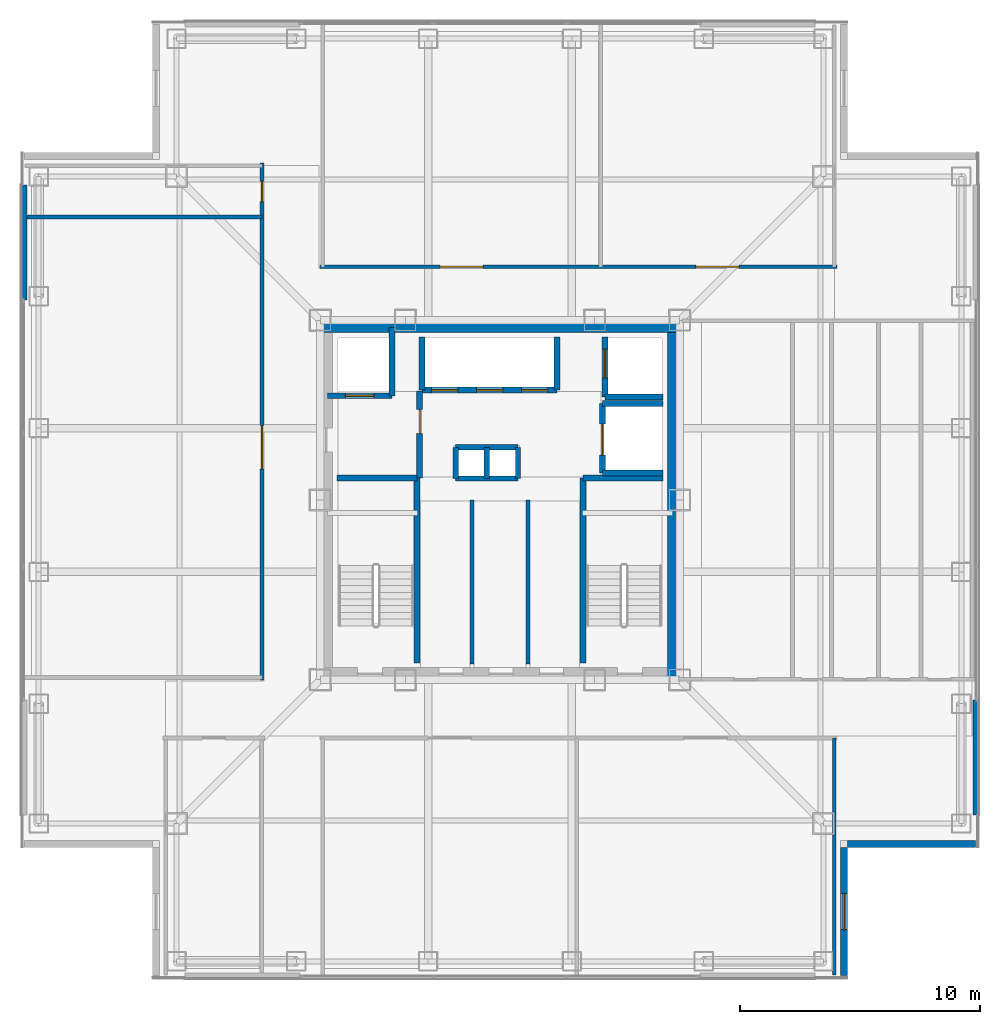
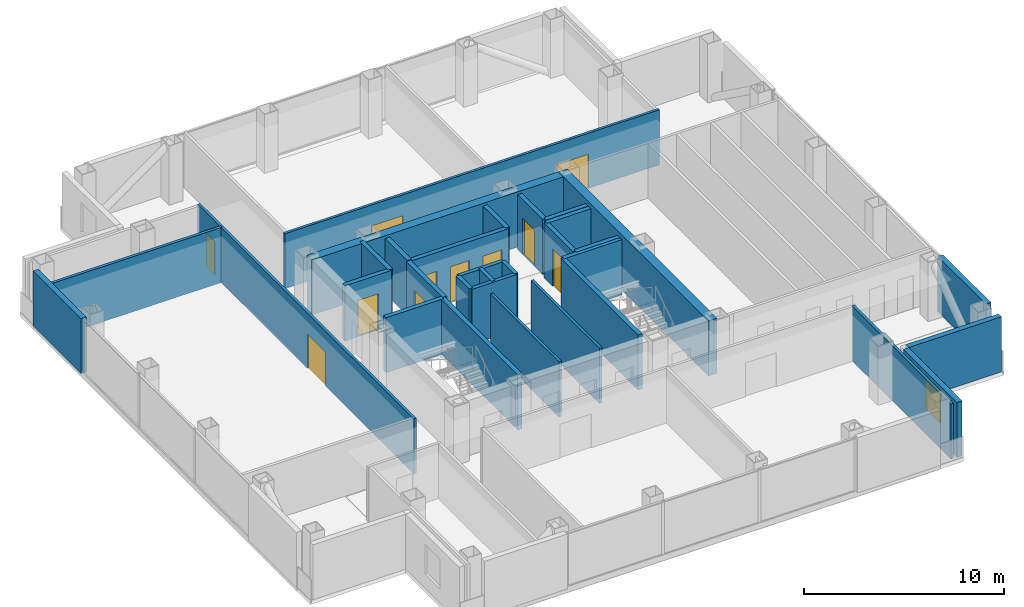
# One storey, part 10 of 17: 32 walls, 11 doors, 1 window, 12 openings.
"""IFC4 building model written with IfcOpenShell, lengths in metres."""

from ifc_helpers import new_model, si_unit, direction, frame, frame_2d, origin, place, context, subcontext, project, spatial, rectangle, extrude, material, layer, layer_set, type_object, element, fill, save


model = new_model("IFC4")

# Units and contexts
model_context = context("Model", 3, precision=1e-05, world=origin(), true_north=direction((0.0, 1.0)))
body_context = subcontext(model_context, "Body", "Model", "MODEL_VIEW")
ifc_project = project(units=[si_unit("LENGTHUNIT", "METRE"), si_unit("AREAUNIT", "SQUARE_METRE"), si_unit("VOLUMEUNIT", "CUBIC_METRE"), si_unit("PLANEANGLEUNIT", "RADIAN"), si_unit("MASSUNIT", "GRAM", prefix="KILO")], contexts=[model_context])

# Site, building, storey
site_placement = place(None, origin())
site = spatial("IfcSite", under=ifc_project, at=site_placement, CompositionType="ELEMENT")
building_placement = place(site_placement, origin())
building = spatial("IfcBuilding", under=site, at=building_placement, Name="Trevonay Congress Spire", CompositionType="ELEMENT")
storey_placement = place(building_placement, frame((0.0, 0.0, 191.39990234375)))
storey = spatial("IfcBuildingStorey", under=building, at=storey_placement, Name="L49", CompositionType="ELEMENT", Elevation=191.39990234375)

# Walls
ifc_material_1 = material(Name="Concrete C50/60", Category="concrete")
ifc_layer_1 = layer(ifc_material_1, 0.5, Name="Concrete C50/60")
ifc_layer_set_1 = layer_set([ifc_layer_1], Name="Concrete C50/60")
wall_type_1 = type_object("IfcWallType", Name="WAL-CORE-500", PredefinedType="SHEAR", material=ifc_layer_set_1)
for number, where, z_axis, x_axis, name in (
    (1, (-7.5, 7.25, 0.0), (0.0, 0.0, 1.0), (1.0, 0.0, 0.0), "L49 North structural core shear wall"),
    (2, (7.25, -7.5, 0.0), (0.0, 0.0, 1.0), (0.0, 1.0, 0.0), "L49 East structural core shear wall"),
):
    element("IfcWall", number, at=place(storey_placement, frame(where, z_axis=z_axis, x_axis=x_axis)), inside=storey, type_object=wall_type_1, Name=name, PredefinedType="SHEAR", context=body_context, shape_type="SweptSolid", body=[
        extrude(rectangle(XDim=15.0, YDim=0.5, at=frame_2d((7.5, 0.0))), origin(), (0.0, 0.0, 1.0), 3.360107421875),
    ])

# Wall, openings, doors
ifc_material_2 = material(Name="Concrete C40/50", Category="concrete")
ifc_layer_2 = layer(ifc_material_2, 0.14990234375, Name="Concrete C40/50")
ifc_layer_set_2 = layer_set([ifc_layer_2], Name="Concrete C40/50")
wall_type_2 = type_object("IfcWallType", Name="WAL-CORR-150", PredefinedType="PARTITIONING", material=ifc_layer_set_2)
wall_1_placement = place(storey_placement, frame((-9.929931640625, -7.52001953125, 0.0), z_axis=(0.0, 0.0, 1.0), x_axis=(0.0, 1.0, 0.0)))
wall_1 = element("IfcWall", 3, at=wall_1_placement, inside=storey, type_object=wall_type_2, Name="L49 interior wall WP-L49NW-COR", PredefinedType="PARTITIONING", context=body_context, shape_type="SweptSolid", body=[
    extrude(rectangle(XDim=21.590087890625, YDim=0.14990234375, at=frame_2d((10.794921875, 0.0))), origin(), (0.0, 0.0, 1.0), 3.360107421875),
])
opening_1_placement = place(wall_1_placement, frame((8.820068359375, 0.0, 0.0)))
opening_1 = element("IfcOpeningElement", 4, at=opening_1_placement, cuts=wall_1, Name="Opening D09", PredefinedType="OPENING", context=body_context, shape_type="SweptSolid", body=[
    extrude(rectangle(XDim=1.800048828125, YDim=2.080078125, at=frame_2d((0.89990234375, 1.0400390625))), frame((0.0, 0.0849609375, 0.0), z_axis=(0.0, -1.0, 0.0), x_axis=(1.0, 0.0, 0.0)), (0.0, 0.0, 1.0), 0.169921875),
])
opening_2_placement = place(wall_1_placement, frame((19.969970703125, 0.0, 0.0)))
opening_2 = element("IfcOpeningElement", 5, at=opening_2_placement, cuts=wall_1, Name="Opening D10", PredefinedType="OPENING", context=body_context, shape_type="SweptSolid", body=[
    extrude(rectangle(XDim=0.85009765625, YDim=2.050048828125, at=frame_2d((0.425048828125, 1.02490234375))), frame((0.0, 0.0849609375, 0.0), z_axis=(0.0, -1.0, 0.0), x_axis=(1.0, 0.0, 0.0)), (0.0, 0.0, 1.0), 0.169921875),
])
ifc_material_3 = material(Name="Pale Anodised Aluminium EN AW-6063-T6", Category="aluminium")
door_type_1 = type_object("IfcDoorType", Name="DOR-CONF-DBL", OperationType="DOUBLE_DOOR_SINGLE_SWING", PredefinedType="DOOR", material=ifc_material_3)
door_1_placement = place(opening_1_placement, origin())
door_1 = element("IfcDoor", 6, at=door_1_placement, inside=storey, type_object=door_type_1, Name="L49 Harbour View Grand Banquet Dining Room Door", OperationType="DOUBLE_DOOR_SINGLE_SWING", OverallHeight=2.080078125, OverallWidth=1.800048828125, PredefinedType="DOOR", context=body_context, shape_type="SweptSolid", body=[
    extrude(rectangle(XDim=1.800048828125, YDim=2.080078125, at=frame_2d((0.89990234375, 1.0400390625))), frame((0.0, 0.02490234375, 0.0), z_axis=(0.0, -1.0, 0.0), x_axis=(1.0, 0.0, 0.0)), (0.0, 0.0, 1.0), 0.050048828125),
])
fill(opening_1, door_1)
door_type_2 = type_object("IfcDoorType", Name="DOR-WC-85", OperationType="NOTDEFINED", PredefinedType="DOOR", material=ifc_material_3)
door_2_placement = place(opening_2_placement, origin())
door_2 = element("IfcDoor", 7, at=door_2_placement, inside=storey, type_object=door_type_2, Name="L49 Accessible WC Door", OperationType="SINGLE_SWING_RIGHT", OverallHeight=2.050048828125, OverallWidth=0.85009765625, PredefinedType="DOOR", context=body_context, shape_type="SweptSolid", body=[
    extrude(rectangle(XDim=0.85009765625, YDim=2.050048828125, at=frame_2d((0.425048828125, 1.02490234375))), frame((0.0, 0.02490234375, 0.0), z_axis=(0.0, -1.0, 0.0), x_axis=(1.0, 0.0, 0.0)), (0.0, 0.0, 1.0), 0.050048828125),
])
fill(opening_2, door_2)

wall_2_placement = place(storey_placement, frame((-7.52001953125, 9.72998046875, 0.0), z_axis=(0.0, 0.0, 1.0), x_axis=(1.0, 0.0, 0.0)))
wall_2 = element("IfcWall", 8, at=wall_2_placement, inside=storey, type_object=wall_type_2, Name="L49 interior wall WP-L49N-COR", PredefinedType="PARTITIONING", context=body_context, shape_type="SweptSolid", body=[
    extrude(rectangle(XDim=21.590087890625, YDim=0.14990234375, at=frame_2d((10.794921875, 0.0))), origin(), (0.0, 0.0, 1.0), 3.360107421875),
])
opening_3_placement = place(wall_2_placement, frame((5.02001953125, 0.0, 0.0)))
opening_3 = element("IfcOpeningElement", 9, at=opening_3_placement, cuts=wall_2, Name="Opening D09", PredefinedType="OPENING", context=body_context, shape_type="SweptSolid", body=[
    extrude(rectangle(XDim=1.800048828125, YDim=2.080078125, at=frame_2d((0.89990234375, 1.0400390625))), frame((0.0, 0.0849609375, 0.0), z_axis=(0.0, -1.0, 0.0), x_axis=(1.0, 0.0, 0.0)), (0.0, 0.0, 1.0), 0.169921875),
])
opening_4_placement = place(wall_2_placement, frame((15.695068359375, 0.0, 0.0)))
opening_4 = element("IfcOpeningElement", 10, at=opening_4_placement, cuts=wall_2, Name="Opening D09", PredefinedType="OPENING", context=body_context, shape_type="SweptSolid", body=[
    extrude(rectangle(XDim=1.800048828125, YDim=2.080078125, at=frame_2d((0.89990234375, 1.0400390625))), frame((0.0, 0.0849609375, 0.0), z_axis=(0.0, -1.0, 0.0), x_axis=(1.0, 0.0, 0.0)), (0.0, 0.0, 1.0), 0.169921875),
])
door_3_placement = place(opening_3_placement, origin())
door_3 = element("IfcDoor", 11, at=door_3_placement, inside=storey, type_object=door_type_1, Name="L49 Champagne Aperitif Bar Door", OperationType="DOUBLE_DOOR_SINGLE_SWING", OverallHeight=2.080078125, OverallWidth=1.800048828125, PredefinedType="DOOR", context=body_context, shape_type="SweptSolid", body=[
    extrude(rectangle(XDim=1.800048828125, YDim=2.080078125, at=frame_2d((0.89990234375, 1.0400390625))), frame((0.0, 0.02490234375, 0.0), z_axis=(0.0, -1.0, 0.0), x_axis=(1.0, 0.0, 0.0)), (0.0, 0.0, 1.0), 0.050048828125),
])
fill(opening_3, door_3)
door_4_placement = place(opening_4_placement, origin())
door_4 = element("IfcDoor", 12, at=door_4_placement, inside=storey, type_object=door_type_1, Name="L49 Private Chef Table Dining Door", OperationType="DOUBLE_DOOR_SINGLE_SWING", OverallHeight=2.080078125, OverallWidth=1.800048828125, PredefinedType="DOOR", context=body_context, shape_type="SweptSolid", body=[
    extrude(rectangle(XDim=1.800048828125, YDim=2.080078125, at=frame_2d((0.89990234375, 1.0400390625))), frame((0.0, 0.02490234375, 0.0), z_axis=(0.0, -1.0, 0.0), x_axis=(1.0, 0.0, 0.0)), (0.0, 0.0, 1.0), 0.050048828125),
])
fill(opening_4, door_4)

# Walls
ifc_material_4 = material(Name="Precast concrete C40/50", Category="concrete")
ifc_layer_3 = layer(ifc_material_4, 0.300048828125, Name="Precast concrete C40/50")
ifc_layer_set_3 = layer_set([ifc_layer_3], Name="Precast concrete C40/50")
wall_type_3 = type_object("IfcWallType", Name="WAL-EXT-PRECAST-300", PredefinedType="SOLIDWALL", material=ifc_layer_set_3)
for number, where, z_axis, x_axis, name in (
    (13, (-19.8798828125, 8.35009765625, 0.0), (0.0, 0.0, 1.0), (0.0, 1.0, 0.0), "L49 WR braced-bay exterior pier wall"),
    (14, (19.8798828125, -13.14990234375, 0.0), (0.0, 0.0, 1.0), (0.0, 1.0, 0.0), "L49 EL braced-bay exterior pier wall"),
):
    element("IfcWall", number, at=place(storey_placement, frame(where, z_axis=z_axis, x_axis=x_axis)), inside=storey, type_object=wall_type_3, Name=name, PredefinedType="SOLIDWALL", context=body_context, shape_type="SweptSolid", body=[
        extrude(rectangle(XDim=4.7998046875, YDim=0.300048828125, at=frame_2d((2.39990234375, 0.0))), origin(), (0.0, 0.0, 1.0), 3.360107421875),
    ])

# Wall, opening, window
wall_3_placement = place(storey_placement, frame((14.35009765625, -19.85009765625, 0.0), z_axis=(0.0, 0.0, 1.0), x_axis=(0.0, 1.0, 0.0)))
wall_3 = element("IfcWall", 15, at=wall_3_placement, inside=storey, type_object=wall_type_3, Name="L49 SE re-entrant notch exterior wall 1", PredefinedType="SOLIDWALL", context=body_context, shape_type="SweptSolid", body=[
    extrude(rectangle(XDim=5.35009765625, YDim=0.300048828125, at=frame_2d((2.675048828125, 0.0))), origin(), (0.0, 0.0, 1.0), 3.360107421875),
])
opening_5_placement = place(wall_3_placement, frame((1.925048828125, 0.0, 0.89990234375)))
opening_5 = element("IfcOpeningElement", 16, at=opening_5_placement, cuts=wall_3, Name="Opening WN03", PredefinedType="OPENING", context=body_context, shape_type="SweptSolid", body=[
    extrude(rectangle(XDim=1.5, YDim=1.800048828125, at=frame_2d((0.75, 0.89990234375))), frame((0.0, 0.16015625, 0.0), z_axis=(0.0, -1.0, 0.0), x_axis=(1.0, 0.0, 0.0)), (0.0, 0.0, 1.0), 0.320068359375),
])
ifc_material_5 = material(Name="Insulated Low-E Vision Glass IGU", Category="glass")
window_type = type_object("IfcWindowType", Name="WIN-NOTCH-150X180", PartitioningType="SINGLE_PANEL", PredefinedType="WINDOW", material=ifc_material_5)
window_placement = place(opening_5_placement, origin())
window = element("IfcWindow", 17, at=window_placement, inside=storey, type_object=window_type, Name="L49 SE corner notch window", OverallHeight=1.800048828125, OverallWidth=1.5, PartitioningType="SINGLE_PANEL", PredefinedType="WINDOW", context=body_context, shape_type="SweptSolid", body=[
    extrude(rectangle(XDim=1.5, YDim=1.800048828125, at=frame_2d((0.75, 0.89990234375))), frame((0.0, 0.030029296875, 0.0), z_axis=(0.0, -1.0, 0.0), x_axis=(1.0, 0.0, 0.0)), (0.0, 0.0, 1.0), 0.06005859375),
])
fill(opening_5, window)

# Walls
wall_4_placement = place(storey_placement, frame((19.85009765625, -14.35009765625, 0.0), z_axis=(0.0, 0.0, 1.0), x_axis=(-1.0, 0.0, 0.0)))
element("IfcWall", 18, at=wall_4_placement, inside=storey, type_object=wall_type_3, Name="L49 SE re-entrant notch exterior wall 2", PredefinedType="SOLIDWALL", context=body_context, shape_type="SweptSolid", body=[
    extrude(rectangle(XDim=5.35009765625, YDim=0.300048828125, at=frame_2d((2.675048828125, 0.0))), origin(), (0.0, 0.0, 1.0), 3.360107421875),
])
ifc_layer_4 = layer(ifc_material_2, 0.14990234375, Name="Concrete C40/50")
ifc_layer_set_4 = layer_set([ifc_layer_4], Name="Concrete C40/50")
wall_type_4 = type_object("IfcWallType", Name="WAL-PART-150", PredefinedType="PARTITIONING", material=ifc_layer_set_4)
for number, where, z_axis, x_axis, name in (
    (19, (-1.169921875, -6.85009765625, 0.0), (0.0, 0.0, 1.0), (0.0, 1.0, 0.0), "L49 interior wall CW-F2A-L49"),
    (20, (1.169921875, -6.85009765625, 0.0), (0.0, 0.0, 1.0), (0.0, 1.0, 0.0), "L49 interior wall CW-F2B-L49"),
):
    element("IfcWall", number, at=place(storey_placement, frame(where, z_axis=z_axis, x_axis=x_axis)), inside=storey, type_object=wall_type_4, Name=name, PredefinedType="PARTITIONING", context=body_context, shape_type="SweptSolid", body=[
        extrude(rectangle(XDim=6.85009765625, YDim=0.14990234375, at=frame_2d((3.425048828125, 0.0))), origin(), (0.0, 0.0, 1.0), 3.360107421875),
    ])
wall_5_placement = place(storey_placement, frame((13.949951171875, -19.820068359375, 0.0), z_axis=(0.0, 0.0, 1.0), x_axis=(0.0, 1.0, 0.0)))
element("IfcWall", 21, at=wall_5_placement, inside=storey, type_object=wall_type_4, Name="L49 interior wall WP-L49SE-DIV3", PredefinedType="PARTITIONING", context=body_context, shape_type="SweptSolid", body=[
    extrude(rectangle(XDim=9.89013671875, YDim=0.14990234375, at=frame_2d((4.945068359375, 0.0))), origin(), (0.0, 0.0, 1.0), 3.360107421875),
])
ifc_layer_5 = layer(ifc_material_2, 0.219970703125, Name="Concrete C40/50")
ifc_layer_set_5 = layer_set([ifc_layer_5], Name="Concrete C40/50")
wall_type_5 = type_object("IfcWallType", Name="WAL-SHAFT-220", PredefinedType="PARTITIONING", material=ifc_layer_set_5)
for number, where, z_axis, x_axis, name in (
    (22, (-1.85009765625, 2.199951171875, 0.0), (0.0, 0.0, 1.0), (1.0, 0.0, 0.0), "L49 interior shaft wall WSH-L49-RSR-N"),
    (23, (-1.85009765625, 0.89990234375, 0.0), (0.0, 0.0, 1.0), (1.0, 0.0, 0.0), "L49 interior shaft wall WSH-L49-RSR-S"),
):
    element("IfcWall", number, at=place(storey_placement, frame(where, z_axis=z_axis, x_axis=x_axis)), inside=storey, type_object=wall_type_5, Name=name, PredefinedType="PARTITIONING", context=body_context, shape_type="SweptSolid", body=[
        extrude(rectangle(XDim=2.60009765625, YDim=0.219970703125, at=frame_2d((1.300048828125, 0.0))), origin(), (0.0, 0.0, 1.0), 3.360107421875),
    ])
for number, where, z_axis, x_axis, name in (
    (24, (-0.550048828125, 0.89990234375, 0.0), (0.0, 0.0, 1.0), (0.0, 1.0, 0.0), "L49 interior shaft wall WSH-L49-RSR-M"),
    (25, (0.75, 0.89990234375, 0.0), (0.0, 0.0, 1.0), (0.0, 1.0, 0.0), "L49 interior shaft wall WSH-L49-RSR-E"),
    (26, (-1.85009765625, 0.89990234375, 0.0), (0.0, 0.0, 1.0), (0.0, 1.0, 0.0), "L49 interior shaft wall WSH-L49-RSR-W"),
):
    element("IfcWall", number, at=place(storey_placement, frame(where, z_axis=z_axis, x_axis=x_axis)), inside=storey, type_object=wall_type_5, Name=name, PredefinedType="PARTITIONING", context=body_context, shape_type="SweptSolid", body=[
        extrude(rectangle(XDim=1.300048828125, YDim=0.219970703125, at=frame_2d((0.64990234375, 0.0))), origin(), (0.0, 0.0, 1.0), 3.360107421875),
    ])

# Wall, openings, doors
ifc_layer_6 = layer(ifc_material_2, 0.25, Name="Concrete C40/50")
ifc_layer_set_6 = layer_set([ifc_layer_6], Name="Concrete C40/50")
wall_type_6 = type_object("IfcWallType", Name="WAL-SHAFT-250", PredefinedType="SHEAR", material=ifc_layer_set_6)
wall_6_placement = place(storey_placement, frame((-3.260009765625, 4.580078125, 0.0), z_axis=(0.0, 0.0, 1.0), x_axis=(1.0, 0.0, 0.0)))
wall_6 = element("IfcWall", 27, at=wall_6_placement, inside=storey, type_object=wall_type_6, Name="L49 interior shaft wall WSH-L49-B3-S", PredefinedType="SHEAR", context=body_context, shape_type="SweptSolid", body=[
    extrude(rectangle(XDim=5.639892578125, YDim=0.25, at=frame_2d((2.81982421875, 0.0))), origin(), (0.0, 0.0, 1.0), 3.360107421875),
])
opening_6_placement = place(wall_6_placement, frame((0.39990234375, 0.0, 0.0)))
opening_6 = element("IfcOpeningElement", 28, at=opening_6_placement, cuts=wall_6, Name="Opening LD03", PredefinedType="OPENING", context=body_context, shape_type="SweptSolid", body=[
    extrude(rectangle(XDim=1.10009765625, YDim=2.199951171875, at=frame_2d((0.550048828125, 1.10009765625))), frame((0.0, 0.135009765625, 0.0), z_axis=(0.0, -1.0, 0.0), x_axis=(1.0, 0.0, 0.0)), (0.0, 0.0, 1.0), 0.27001953125),
])
opening_7_placement = place(wall_6_placement, frame((2.280029296875, 0.0, 0.0)))
opening_7 = element("IfcOpeningElement", 29, at=opening_7_placement, cuts=wall_6, Name="Opening LD03", PredefinedType="OPENING", context=body_context, shape_type="SweptSolid", body=[
    extrude(rectangle(XDim=1.10009765625, YDim=2.199951171875, at=frame_2d((0.550048828125, 1.10009765625))), frame((0.0, 0.135009765625, 0.0), z_axis=(0.0, -1.0, 0.0), x_axis=(1.0, 0.0, 0.0)), (0.0, 0.0, 1.0), 0.27001953125),
])
opening_8_placement = place(wall_6_placement, frame((4.159912109375, 0.0, 0.0)))
opening_8 = element("IfcOpeningElement", 30, at=opening_8_placement, cuts=wall_6, Name="Opening LD03", PredefinedType="OPENING", context=body_context, shape_type="SweptSolid", body=[
    extrude(rectangle(XDim=1.10009765625, YDim=2.199951171875, at=frame_2d((0.550048828125, 1.10009765625))), frame((0.0, 0.135009765625, 0.0), z_axis=(0.0, -1.0, 0.0), x_axis=(1.0, 0.0, 0.0)), (0.0, 0.0, 1.0), 0.27001953125),
])
door_type_3 = type_object("IfcDoorType", Name="DOR-LIFT-LD03", OperationType="DOUBLE_DOOR_SLIDING", PredefinedType="DOOR", material=ifc_material_3)
door_5_placement = place(opening_6_placement, origin())
door_5 = element("IfcDoor", 31, at=door_5_placement, inside=storey, type_object=door_type_3, Name="L49 Passenger lift PL-07 landing door", OperationType="DOUBLE_DOOR_SLIDING", OverallHeight=2.199951171875, OverallWidth=1.10009765625, PredefinedType="DOOR", context=body_context, shape_type="SweptSolid", body=[
    extrude(rectangle(XDim=1.10009765625, YDim=2.199951171875, at=frame_2d((0.550048828125, 1.10009765625))), frame((0.0, 0.02490234375, 0.0), z_axis=(0.0, -1.0, 0.0), x_axis=(1.0, 0.0, 0.0)), (0.0, 0.0, 1.0), 0.050048828125),
])
fill(opening_6, door_5)
door_6_placement = place(opening_7_placement, origin())
door_6 = element("IfcDoor", 32, at=door_6_placement, inside=storey, type_object=door_type_3, Name="L49 Passenger lift PL-08 landing door", OperationType="DOUBLE_DOOR_SLIDING", OverallHeight=2.199951171875, OverallWidth=1.10009765625, PredefinedType="DOOR", context=body_context, shape_type="SweptSolid", body=[
    extrude(rectangle(XDim=1.10009765625, YDim=2.199951171875, at=frame_2d((0.550048828125, 1.10009765625))), frame((0.0, 0.02490234375, 0.0), z_axis=(0.0, -1.0, 0.0), x_axis=(1.0, 0.0, 0.0)), (0.0, 0.0, 1.0), 0.050048828125),
])
fill(opening_7, door_6)
door_7_placement = place(opening_8_placement, origin())
door_7 = element("IfcDoor", 33, at=door_7_placement, inside=storey, type_object=door_type_3, Name="L49 Passenger lift PL-09 landing door", OperationType="DOUBLE_DOOR_SLIDING", OverallHeight=2.199951171875, OverallWidth=1.10009765625, PredefinedType="DOOR", context=body_context, shape_type="SweptSolid", body=[
    extrude(rectangle(XDim=1.10009765625, YDim=2.199951171875, at=frame_2d((0.550048828125, 1.10009765625))), frame((0.0, 0.02490234375, 0.0), z_axis=(0.0, -1.0, 0.0), x_axis=(1.0, 0.0, 0.0)), (0.0, 0.0, 1.0), 0.050048828125),
])
fill(opening_8, door_7)

# Walls
for number, where, z_axis, x_axis, name in (
    (34, (-3.260009765625, 4.580078125, 0.0), (0.0, 0.0, 1.0), (0.0, 1.0, 0.0), "L49 interior shaft wall WSH-L49-B3-W"),
    (35, (2.3798828125, 4.580078125, 0.0), (0.0, 0.0, 1.0), (0.0, 1.0, 0.0), "L49 interior shaft wall WSH-L49-B3-E"),
):
    element("IfcWall", number, at=place(storey_placement, frame(where, z_axis=z_axis, x_axis=x_axis)), inside=storey, type_object=wall_type_6, Name=name, PredefinedType="SHEAR", context=body_context, shape_type="SweptSolid", body=[
        extrude(rectangle(XDim=2.219970703125, YDim=0.25, at=frame_2d((1.10986328125, 0.0))), origin(), (0.0, 0.0, 1.0), 3.360107421875),
    ])

# Wall, opening, door
wall_7_placement = place(storey_placement, frame((-7.199951171875, 4.35009765625, 0.0), z_axis=(0.0, 0.0, 1.0), x_axis=(1.0, 0.0, 0.0)))
wall_7 = element("IfcWall", 36, at=wall_7_placement, inside=storey, type_object=wall_type_6, Name="L49 interior shaft wall WSH-L49-FF1-S", PredefinedType="SHEAR", context=body_context, shape_type="SweptSolid", body=[
    extrude(rectangle(XDim=2.699951171875, YDim=0.25, at=frame_2d((1.35009765625, 0.0))), origin(), (0.0, 0.0, 1.0), 3.360107421875),
])
opening_9_placement = place(wall_7_placement, frame((0.75, 0.0, 0.0)))
opening_9 = element("IfcOpeningElement", 37, at=opening_9_placement, cuts=wall_7, Name="Opening LD04", PredefinedType="OPENING", context=body_context, shape_type="SweptSolid", body=[
    extrude(rectangle(XDim=1.199951171875, YDim=2.199951171875, at=frame_2d((0.60009765625, 1.10009765625))), frame((0.0, 0.135009765625, 0.0), z_axis=(0.0, -1.0, 0.0), x_axis=(1.0, 0.0, 0.0)), (0.0, 0.0, 1.0), 0.27001953125),
])
ifc_material_6 = material(Name="Steel ASTM A572 Grade 50", Category="steel")
door_type_4 = type_object("IfcDoorType", Name="DOR-LIFT-LD04", OperationType="DOUBLE_DOOR_SLIDING", PredefinedType="DOOR", material=ifc_material_6)
door_8_placement = place(opening_9_placement, origin())
door_8 = element("IfcDoor", 38, at=door_8_placement, inside=storey, type_object=door_type_4, Name="L49 Firefighting lift FFL-01 landing door", OperationType="DOUBLE_DOOR_SLIDING", OverallHeight=2.199951171875, OverallWidth=1.199951171875, PredefinedType="DOOR", context=body_context, shape_type="SweptSolid", body=[
    extrude(rectangle(XDim=1.199951171875, YDim=2.199951171875, at=frame_2d((0.60009765625, 1.10009765625))), frame((0.0, 0.02490234375, 0.0), z_axis=(0.0, -1.0, 0.0), x_axis=(1.0, 0.0, 0.0)), (0.0, 0.0, 1.0), 0.050048828125),
])
fill(opening_9, door_8)

# Walls
wall_8_placement = place(storey_placement, frame((-4.5, 4.35009765625, 0.0), z_axis=(0.0, 0.0, 1.0), x_axis=(0.0, 1.0, 0.0)))
element("IfcWall", 39, at=wall_8_placement, inside=storey, type_object=wall_type_6, Name="L49 interior shaft wall WSH-L49-FF1-E", PredefinedType="SHEAR", context=body_context, shape_type="SweptSolid", body=[
    extrude(rectangle(XDim=2.849853515625, YDim=0.25, at=frame_2d((1.4248046875, 0.0))), origin(), (0.0, 0.0, 1.0), 3.360107421875),
])
wall_9_placement = place(storey_placement, frame((4.3798828125, 4.300048828125, 0.0), z_axis=(0.0, 0.0, 1.0), x_axis=(1.0, 0.0, 0.0)))
element("IfcWall", 40, at=wall_9_placement, inside=storey, type_object=wall_type_6, Name="L49 interior shaft wall WSH-L49-FF2-S", PredefinedType="SHEAR", context=body_context, shape_type="SweptSolid", body=[
    extrude(rectangle(XDim=2.420166015625, YDim=0.25, at=frame_2d((1.2099609375, 0.0))), origin(), (0.0, 0.0, 1.0), 3.360107421875),
])

# Wall, opening, door
wall_10_placement = place(storey_placement, frame((4.3798828125, 4.300048828125, 0.0), z_axis=(0.0, 0.0, 1.0), x_axis=(0.0, 1.0, 0.0)))
wall_10 = element("IfcWall", 41, at=wall_10_placement, inside=storey, type_object=wall_type_6, Name="L49 interior shaft wall WSH-L49-FF2-W", PredefinedType="SHEAR", context=body_context, shape_type="SweptSolid", body=[
    extrude(rectangle(XDim=2.5, YDim=0.25, at=frame_2d((1.25, 0.0))), origin(), (0.0, 0.0, 1.0), 3.360107421875),
])
opening_10_placement = place(wall_10_placement, frame((0.800048828125, 0.0, 0.0)))
opening_10 = element("IfcOpeningElement", 42, at=opening_10_placement, cuts=wall_10, Name="Opening LD04", PredefinedType="OPENING", context=body_context, shape_type="SweptSolid", body=[
    extrude(rectangle(XDim=1.199951171875, YDim=2.199951171875, at=frame_2d((0.60009765625, 1.10009765625))), frame((0.0, 0.135009765625, 0.0), z_axis=(0.0, -1.0, 0.0), x_axis=(1.0, 0.0, 0.0)), (0.0, 0.0, 1.0), 0.27001953125),
])
door_9_placement = place(opening_10_placement, origin())
door_9 = element("IfcDoor", 43, at=door_9_placement, inside=storey, type_object=door_type_4, Name="L49 Firefighting lift FFL-02 landing door", OperationType="DOUBLE_DOOR_SLIDING", OverallHeight=2.199951171875, OverallWidth=1.199951171875, PredefinedType="DOOR", context=body_context, shape_type="SweptSolid", body=[
    extrude(rectangle(XDim=1.199951171875, YDim=2.199951171875, at=frame_2d((0.60009765625, 1.10009765625))), frame((0.0, 0.02490234375, 0.0), z_axis=(0.0, -1.0, 0.0), x_axis=(1.0, 0.0, 0.0)), (0.0, 0.0, 1.0), 0.050048828125),
])
fill(opening_10, door_9)

wall_11_placement = place(storey_placement, frame((4.280029296875, 1.1201171875, 0.0), z_axis=(0.0, 0.0, 1.0), x_axis=(0.0, 1.0, 0.0)))
wall_11 = element("IfcWall", 44, at=wall_11_placement, inside=storey, type_object=wall_type_6, Name="L49 interior shaft wall WSH-L49-SV-W", PredefinedType="SHEAR", context=body_context, shape_type="SweptSolid", body=[
    extrude(rectangle(XDim=2.89990234375, YDim=0.25, at=frame_2d((1.449951171875, 0.0))), origin(), (0.0, 0.0, 1.0), 3.360107421875),
])
opening_11_placement = place(wall_11_placement, frame((0.75, 0.0, 0.0)))
opening_11 = element("IfcOpeningElement", 45, at=opening_11_placement, cuts=wall_11, Name="Opening LD05", PredefinedType="OPENING", context=body_context, shape_type="SweptSolid", body=[
    extrude(rectangle(XDim=1.300048828125, YDim=2.300048828125, at=frame_2d((0.64990234375, 1.14990234375))), frame((0.0, 0.135009765625, 0.0), z_axis=(0.0, -1.0, 0.0), x_axis=(1.0, 0.0, 0.0)), (0.0, 0.0, 1.0), 0.27001953125),
])
door_type_5 = type_object("IfcDoorType", Name="DOR-LIFT-LD05", OperationType="DOUBLE_DOOR_SLIDING", PredefinedType="DOOR", material=ifc_material_6)
door_10_placement = place(opening_11_placement, origin())
door_10 = element("IfcDoor", 46, at=door_10_placement, inside=storey, type_object=door_type_5, Name="L49 Goods lift SVL-01 landing door", OperationType="DOUBLE_DOOR_SLIDING", OverallHeight=2.300048828125, OverallWidth=1.300048828125, PredefinedType="DOOR", context=body_context, shape_type="SweptSolid", body=[
    extrude(rectangle(XDim=1.300048828125, YDim=2.300048828125, at=frame_2d((0.64990234375, 1.14990234375))), frame((0.0, 0.02490234375, 0.0), z_axis=(0.0, -1.0, 0.0), x_axis=(1.0, 0.0, 0.0)), (0.0, 0.0, 1.0), 0.050048828125),
])
fill(opening_11, door_10)

# Walls
for number, where, z_axis, x_axis, name in (
    (47, (4.280029296875, 1.1201171875, 0.0), (0.0, 0.0, 1.0), (1.0, 0.0, 0.0), "L49 interior shaft wall WSH-L49-SV-S"),
    (48, (4.280029296875, 4.02001953125, 0.0), (0.0, 0.0, 1.0), (1.0, 0.0, 0.0), "L49 interior shaft wall WSH-L49-SV-N"),
):
    element("IfcWall", number, at=place(storey_placement, frame(where, z_axis=z_axis, x_axis=x_axis)), inside=storey, type_object=wall_type_6, Name=name, PredefinedType="SHEAR", context=body_context, shape_type="SweptSolid", body=[
        extrude(rectangle(XDim=2.52001953125, YDim=0.25, at=frame_2d((1.260009765625, 0.0))), origin(), (0.0, 0.0, 1.0), 3.360107421875),
    ])

# Wall, opening, door
wall_12_placement = place(storey_placement, frame((-3.35009765625, 0.919921875, 0.0), z_axis=(0.0, 0.0, 1.0), x_axis=(0.0, 1.0, 0.0)))
wall_12 = element("IfcWall", 49, at=wall_12_placement, inside=storey, type_object=wall_type_6, Name="L49 interior wall CW-FFLW-E-L49", PredefinedType="SHEAR", context=body_context, shape_type="SweptSolid", body=[
    extrude(rectangle(XDim=3.6201171875, YDim=0.25, at=frame_2d((1.81005859375, 0.0))), origin(), (0.0, 0.0, 1.0), 3.360107421875),
])
opening_12_placement = place(wall_12_placement, frame((1.85009765625, 0.0, 0.0)))
opening_12 = element("IfcOpeningElement", 50, at=opening_12_placement, cuts=wall_12, Name="Opening D06", PredefinedType="OPENING", context=body_context, shape_type="SweptSolid", body=[
    extrude(rectangle(XDim=1.0, YDim=2.080078125, at=frame_2d((0.5, 1.0400390625))), frame((0.0, 0.135009765625, 0.0), z_axis=(0.0, -1.0, 0.0), x_axis=(1.0, 0.0, 0.0)), (0.0, 0.0, 1.0), 0.27001953125),
])
door_type_6 = type_object("IfcDoorType", Name="DOR-FIRE-100", OperationType="NOTDEFINED", PredefinedType="DOOR", material=ifc_material_6)
door_11_placement = place(opening_12_placement, origin())
door_11 = element("IfcDoor", 51, at=door_11_placement, inside=storey, type_object=door_type_6, Name="L49 Firefighting Core Lobby Transfer Door", OperationType="SINGLE_SWING_RIGHT", OverallHeight=2.080078125, OverallWidth=1.0, PredefinedType="DOOR", context=body_context, shape_type="SweptSolid", body=[
    extrude(rectangle(XDim=1.0, YDim=2.080078125, at=frame_2d((0.5, 1.0400390625))), frame((0.0, 0.02490234375, 0.0), z_axis=(0.0, -1.0, 0.0), x_axis=(1.0, 0.0, 0.0)), (0.0, 0.0, 1.0), 0.050048828125),
])
fill(opening_12, door_11)

# Walls
ifc_layer_7 = layer(ifc_material_2, 0.25, Name="Concrete C40/50")
ifc_layer_set_7 = layer_set([ifc_layer_7], Name="Concrete C40/50")
wall_type_7 = type_object("IfcWallType", Name="WAL-SHAFT-LB-250", PredefinedType="SHEAR", material=ifc_layer_set_7)
wall_13_placement = place(storey_placement, frame((-3.469970703125, -6.800048828125, 0.0), z_axis=(0.0, 0.0, 1.0), x_axis=(0.0, 1.0, 0.0)))
element("IfcWall", 52, at=wall_13_placement, inside=storey, type_object=wall_type_7, Name="L49 interior shaft wall WSH-L49-ST1-E", PredefinedType="SHEAR", context=body_context, shape_type="SweptSolid", body=[
    extrude(rectangle(XDim=7.719970703125, YDim=0.25, at=frame_2d((3.85986328125, 0.0))), origin(), (0.0, 0.0, 1.0), 3.360107421875),
])
wall_14_placement = place(storey_placement, frame((-6.800048828125, 0.919921875, 0.0), z_axis=(0.0, 0.0, 1.0), x_axis=(1.0, 0.0, 0.0)))
element("IfcWall", 53, at=wall_14_placement, inside=storey, type_object=wall_type_7, Name="L49 interior shaft wall WSH-L49-ST1-N", PredefinedType="SHEAR", context=body_context, shape_type="SweptSolid", body=[
    extrude(rectangle(XDim=3.330078125, YDim=0.25, at=frame_2d((1.6650390625, 0.0))), origin(), (0.0, 0.0, 1.0), 3.360107421875),
])
wall_15_placement = place(storey_placement, frame((3.469970703125, -6.800048828125, 0.0), z_axis=(0.0, 0.0, 1.0), x_axis=(0.0, 1.0, 0.0)))
element("IfcWall", 54, at=wall_15_placement, inside=storey, type_object=wall_type_7, Name="L49 interior shaft wall WSH-L49-ST2-W", PredefinedType="SHEAR", context=body_context, shape_type="SweptSolid", body=[
    extrude(rectangle(XDim=7.719970703125, YDim=0.25, at=frame_2d((3.85986328125, 0.0))), origin(), (0.0, 0.0, 1.0), 3.360107421875),
])
wall_16_placement = place(storey_placement, frame((3.469970703125, 0.919921875, 0.0), z_axis=(0.0, 0.0, 1.0), x_axis=(1.0, 0.0, 0.0)))
element("IfcWall", 55, at=wall_16_placement, inside=storey, type_object=wall_type_7, Name="L49 interior shaft wall WSH-L49-ST2-N", PredefinedType="SHEAR", context=body_context, shape_type="SweptSolid", body=[
    extrude(rectangle(XDim=3.330078125, YDim=0.25, at=frame_2d((1.6650390625, 0.0))), origin(), (0.0, 0.0, 1.0), 3.360107421875),
])
ifc_layer_8 = layer(ifc_material_2, 0.1650390625, Name="Concrete C40/50")
ifc_layer_set_8 = layer_set([ifc_layer_8], Name="Concrete C40/50")
wall_type_8 = type_object("IfcWallType", Name="WAL-WET-165", PredefinedType="PLUMBINGWALL", material=ifc_layer_set_8)
wall_17_placement = place(storey_placement, frame((-19.820068359375, 11.800048828125, 0.0), z_axis=(0.0, 0.0, 1.0), x_axis=(1.0, 0.0, 0.0)))
element("IfcWall", 56, at=wall_17_placement, inside=storey, type_object=wall_type_8, Name="L49 interior wall WP-L49NW-DIV2", PredefinedType="PLUMBINGWALL", context=body_context, shape_type="SweptSolid", body=[
    extrude(rectangle(XDim=9.89013671875, YDim=0.1650390625, at=frame_2d((4.945068359375, 0.0))), origin(), (0.0, 0.0, 1.0), 3.360107421875),
])

save(model, "model.ifc")
